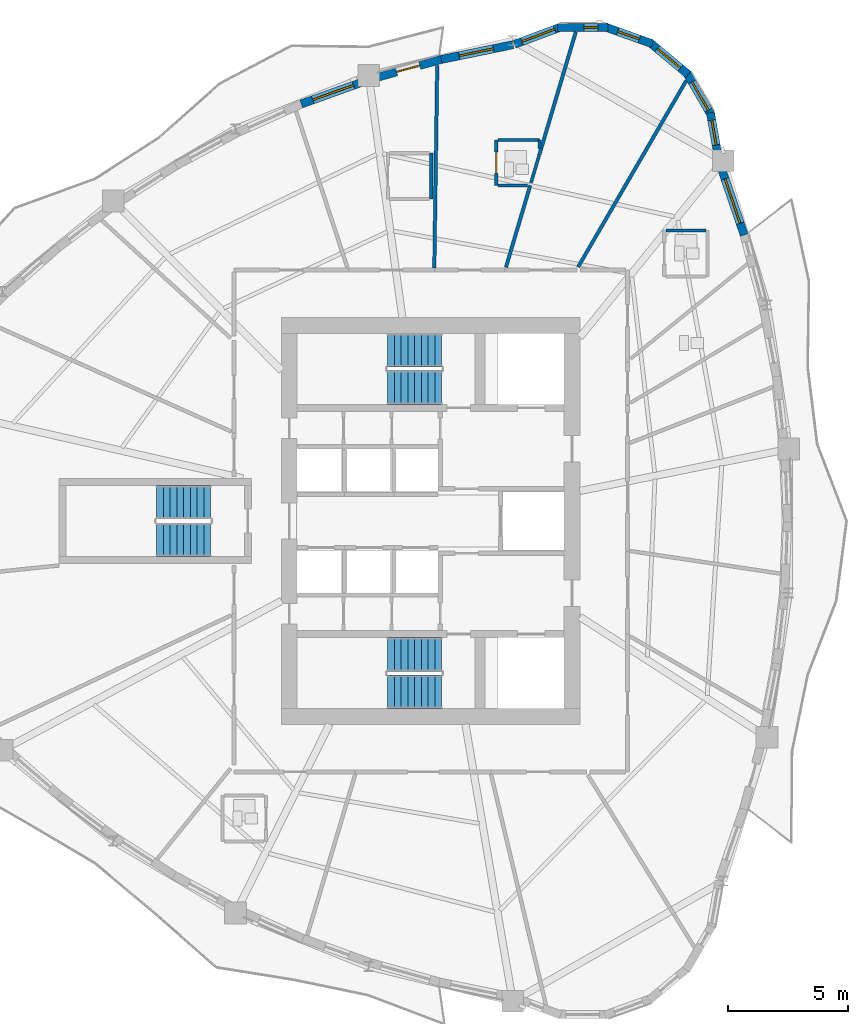
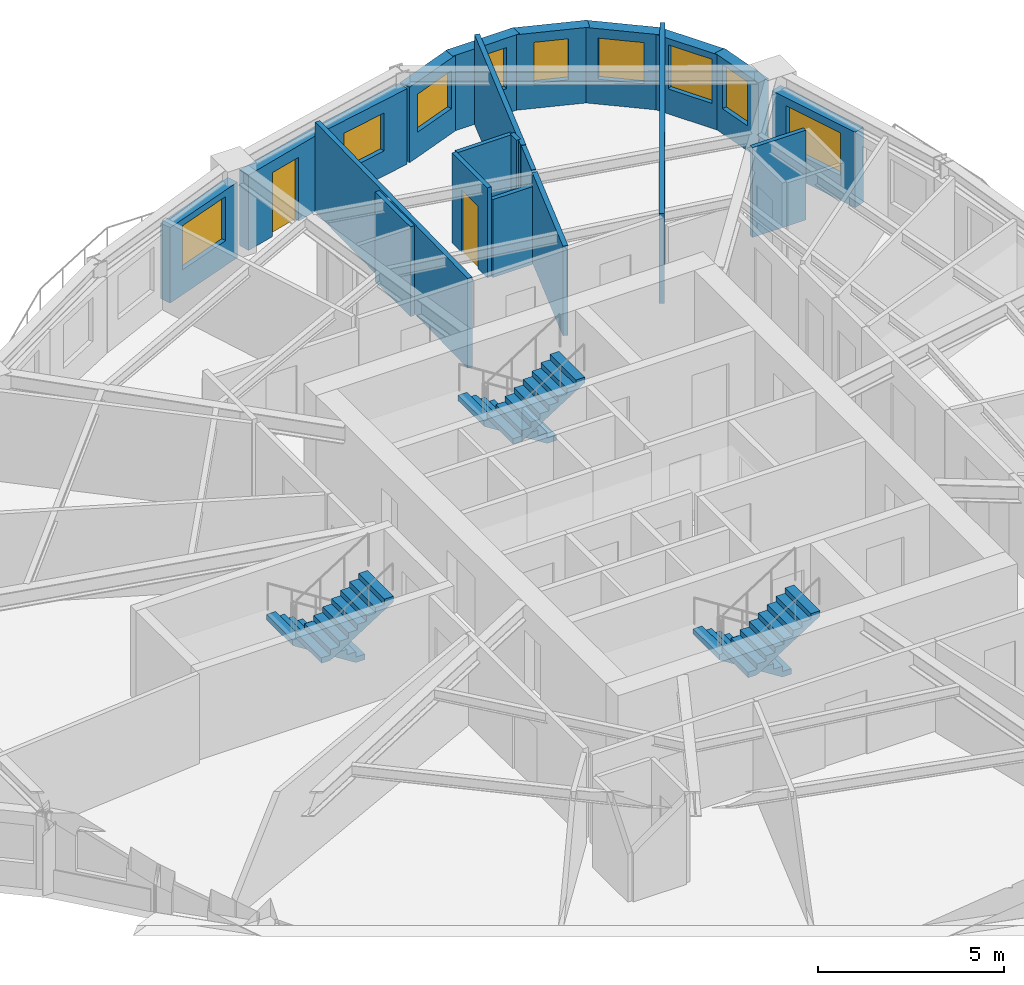
# One storey, part 8 of 12: 21 walls, 9 windows, 6 stair flights, 2 doors, 11 openings, 3 elements without a shape of their own.
"""IFC4 building model written with IfcOpenShell, lengths in metres."""

from ifc_helpers import new_model, si_unit, direction, frame, frame_2d, origin, place, context, subcontext, project, spatial, polyline, rectangle, outline, extrude, source, transform, mapped, material, layer, layer_set, type_object, element, fill, aggregate, save


model = new_model("IFC4")

# Units and contexts
model_context = context("Model", 3, precision=1e-05, world=origin(), true_north=direction((0.0, 1.0)))
body_context = subcontext(model_context, "Body", "Model", "MODEL_VIEW")
ifc_project = project(units=[si_unit("LENGTHUNIT", "METRE"), si_unit("AREAUNIT", "SQUARE_METRE"), si_unit("VOLUMEUNIT", "CUBIC_METRE"), si_unit("PLANEANGLEUNIT", "RADIAN"), si_unit("MASSUNIT", "GRAM", prefix="KILO")], contexts=[model_context])

# Site, building, storey
site_placement = place(None, origin())
site = spatial("IfcSite", under=ifc_project, at=site_placement, CompositionType="ELEMENT")
building_placement = place(site_placement, origin())
building = spatial("IfcBuilding", under=site, at=building_placement, Name="Qafzar Sky-Pleat Residences", CompositionType="ELEMENT")
storey_placement = place(building_placement, frame((0.0, 0.0, 96.0)))
storey = spatial("IfcBuildingStorey", under=building, at=storey_placement, Name="L28", CompositionType="ELEMENT", Elevation=96.0)

# Walls
ifc_material_1 = material(Name="Acoustic gypsum plasterboard partition", Category="gypsum")
ifc_layer_1 = layer(ifc_material_1, 0.14501953125)
ifc_layer_set_1 = layer_set([ifc_layer_1], Name="Acoustic gypsum plasterboard partition")
wall_type_1 = type_object("IfcWallType", Name="PART-UNIT-145", PredefinedType="PARTITIONING", material=ifc_layer_set_1)
wall_1_placement = place(storey_placement, frame((36.474609375, 36.55322265625, 0.0), z_axis=(0.0, 0.0, 1.0), x_axis=(0.501895508122, 0.864928262301, 0.0)))
element("IfcWall", 1, at=wall_1_placement, inside=storey, type_object=wall_type_1, Name="L28 Partition Wall PART-L28-PW-025", PredefinedType="PARTITIONING", context=body_context, shape_type="SweptSolid", body=[
    extrude(rectangle(XDim=8.957763671875, YDim=0.14501953125, at=frame_2d((4.47900390625, 0.0))), origin(), (0.0, 0.0, 1.0), 2.949951171875),
])
wall_2_placement = place(storey_placement, frame((30.500244140625, 36.51904296875, 0.0), z_axis=(0.0, 0.0, 1.0), x_axis=(0.014275968132, 0.999898093174, 0.0)))
element("IfcWall", 2, at=wall_2_placement, inside=storey, type_object=wall_type_1, Name="L28 Partition Wall PART-L28-PW-027", PredefinedType="PARTITIONING", context=body_context, shape_type="SweptSolid", body=[
    extrude(rectangle(XDim=8.4140625, YDim=0.14501953125, at=frame_2d((4.20703125, 0.0))), origin(), (0.0, 0.0, 1.0), 2.949951171875),
])
wall_3_placement = place(storey_placement, frame((34.85888671875, 41.200927734375, 0.0), z_axis=(0.0, 0.0, 1.0), x_axis=(0.284335435967, 0.958724861393, 0.0)))
element("IfcWall", 3, at=wall_3_placement, inside=storey, type_object=wall_type_1, Name="L28 Partition Wall PART-L28-PW-037", PredefinedType="PARTITIONING", context=body_context, shape_type="SweptSolid", body=[
    extrude(rectangle(XDim=5.348388671875, YDim=0.14501953125, at=frame_2d((2.67431640625, 0.0))), origin(), (0.0, 0.0, 1.0), 2.949951171875),
])
wall_4_placement = place(storey_placement, frame((33.47607421875, 36.538330078125, 0.0), z_axis=(0.0, 0.0, 1.0), x_axis=(0.284300835747, 0.958735122332, 0.0)))
element("IfcWall", 4, at=wall_4_placement, inside=storey, type_object=wall_type_1, Name="L28 Partition Wall PART-L28-PW-039", PredefinedType="PARTITIONING", context=body_context, shape_type="SweptSolid", body=[
    extrude(rectangle(XDim=3.5595703125, YDim=0.14501953125, at=frame_2d((1.77978515625, 0.0))), origin(), (0.0, 0.0, 1.0), 2.949951171875),
])

# Wall, opening, door
ifc_material_2 = material(Name="Moisture-resistant gypsum partition", Category="gypsum")
ifc_layer_2 = layer(ifc_material_2, 0.1298828125)
ifc_layer_set_2 = layer_set([ifc_layer_2], Name="Moisture-resistant gypsum partition")
wall_type_2 = type_object("IfcWallType", Name="PART-WET-130", PredefinedType="PARTITIONING", material=ifc_layer_set_2)
wall_5_placement = place(storey_placement, frame((33.073974609375, 41.8359375, 0.0), z_axis=(0.0, 0.0, 1.0), x_axis=(0.0, -1.0, 0.0)))
wall_5 = element("IfcWall", 5, at=wall_5_placement, inside=storey, type_object=wall_type_2, Name="L28 Partition Wall PART-L28-PW-017", PredefinedType="PARTITIONING", context=body_context, shape_type="SweptSolid", body=[
    extrude(rectangle(XDim=1.89990234375, YDim=0.1298828125, at=frame_2d((0.949951171875, 0.0))), origin(), (0.0, 0.0, 1.0), 2.949951171875),
])
opening_1_placement = place(wall_5_placement, frame((0.510009765625, 0.0, 0.0)))
opening_1 = element("IfcOpeningElement", 6, at=opening_1_placement, cuts=wall_5, Name="Opening ID-07", PredefinedType="OPENING", context=body_context, shape_type="SweptSolid", body=[
    extrude(rectangle(XDim=0.8798828125, YDim=2.050048828125, at=frame_2d((0.43994140625, 1.02490234375))), frame((0.0, 0.074951171875, 0.0), z_axis=(0.0, -1.0, 0.0), x_axis=(1.0, 0.0, 0.0)), (0.0, 0.0, 1.0), 0.14990234375),
])
ifc_material_3 = material(Name="Timber-faced fire door", Category="wood")
door_type_1 = type_object("IfcDoorType", Name="DR-WET-880", OperationType="NOTDEFINED", PredefinedType="DOOR", material=ifc_material_3)
shared_shape_1 = source(origin(), body_context, "Body", "SweptSolid", [
    extrude(rectangle(XDim=0.8798828125, YDim=2.050048828125, at=frame_2d((0.43994140625, 1.02490234375))), frame((0.0, 0.02490234375, 0.0), z_axis=(0.0, -1.0, 0.0), x_axis=(1.0, 0.0, 0.0)), (0.0, 0.0, 1.0), 0.050048828125),
])
door_1_placement = place(opening_1_placement, origin())
door_1 = element("IfcDoor", 7, at=door_1_placement, inside=storey, type_object=door_type_1, Name="L28 En-suite Bathroom 3 Door", OperationType="SINGLE_SWING_LEFT", OverallHeight=2.050048828125, OverallWidth=0.8798828125, PredefinedType="DOOR", context=body_context, shape_type="MappedRepresentation", body=[
    mapped(shared_shape_1, transform((0.0, 0.0, 0.0), x_axis=(1.0, 0.0, 0.0), y_axis=(0.0, 1.0, 0.0), z_axis=(0.0, 0.0, 1.0), scale=1.0)),
])
fill(opening_1, door_1)

# Walls
wall_6_placement = place(storey_placement, frame((30.3701171875, 39.385986328125, 0.0), z_axis=(0.0, 0.0, 1.0), x_axis=(0.0, 1.0, 0.0)))
element("IfcWall", 8, at=wall_6_placement, inside=storey, type_object=wall_type_2, Name="L28 Partition Wall PART-L28-PW-044", PredefinedType="PARTITIONING", context=body_context, shape_type="SweptSolid", body=[
    extrude(rectangle(XDim=1.89990234375, YDim=0.1298828125, at=frame_2d((0.949951171875, 0.0))), origin(), (0.0, 0.0, 1.0), 2.949951171875),
])
wall_7_placement = place(storey_placement, frame((33.14697265625, 41.8359375, 0.0), z_axis=(0.0, 0.0, 1.0), x_axis=(1.0, 0.0, 0.0)))
element("IfcWall", 9, at=wall_7_placement, inside=storey, type_object=wall_type_2, Name="L28 Partition Wall PART-L28-PW-045", PredefinedType="PARTITIONING", context=body_context, shape_type="SweptSolid", body=[
    extrude(rectangle(XDim=1.72705078125, YDim=0.1298828125, at=frame_2d((0.863525390625, 0.0))), origin(), (0.0, 0.0, 1.0), 2.949951171875),
])
wall_8_placement = place(storey_placement, frame((40.131103515625, 38.06689453125, 0.0), z_axis=(0.0, 0.0, 1.0), x_axis=(1.0, 0.0, 0.0)))
element("IfcWall", 10, at=wall_8_placement, inside=storey, type_object=wall_type_2, Name="L28 Partition Wall PART-L28-PW-050", PredefinedType="PARTITIONING", context=body_context, shape_type="SweptSolid", body=[
    extrude(rectangle(XDim=1.65380859375, YDim=0.1298828125, at=frame_2d((0.826904296875, 0.0))), origin(), (0.0, 0.0, 1.0), 2.949951171875),
])
wall_9_placement = place(storey_placement, frame((33.14697265625, 39.93603515625, 0.0), z_axis=(0.0, 0.0, 1.0), x_axis=(1.0, 0.0, 0.0)))
element("IfcWall", 11, at=wall_9_placement, inside=storey, type_object=wall_type_2, Name="L28 Partition Wall PART-L28-PW-053", PredefinedType="PARTITIONING", context=body_context, shape_type="SweptSolid", body=[
    extrude(rectangle(XDim=1.234130859375, YDim=0.1298828125, at=frame_2d((0.6171875, 0.0))), origin(), (0.0, 0.0, 1.0), 2.55810546875),
])
wall_10_placement = place(storey_placement, frame((34.519287109375, 40.056640625, 0.0), z_axis=(0.0, 0.0, 1.0), x_axis=(0.284363334184, 0.958716586991, 0.0)))
element("IfcWall", 12, at=wall_10_placement, inside=storey, type_object=wall_type_2, Name="L28 Partition Wall PART-L28-PW-054", PredefinedType="PARTITIONING", context=body_context, shape_type="SweptSolid", body=[
    extrude(rectangle(XDim=1.1787109375, YDim=0.1298828125, at=frame_2d((0.58935546875, 0.0))), origin(), (0.0, 0.0, 1.0), 2.949951171875),
])
wall_11_placement = place(storey_placement, frame((34.8740234375, 41.47705078125, 0.0), z_axis=(0.0, 0.0, 1.0), x_axis=(0.0, 1.0, 0.0)))
element("IfcWall", 13, at=wall_11_placement, inside=storey, type_object=wall_type_2, Name="L28 Partition Wall PART-L28-PW-055", PredefinedType="PARTITIONING", context=body_context, shape_type="SweptSolid", body=[
    extrude(rectangle(XDim=0.35888671875, YDim=0.1298828125, at=frame_2d((0.179443359375, 0.0))), origin(), (0.0, 0.0, 1.0), 2.949951171875),
])

# Wall, opening, window
ifc_material_4 = material(Name="Precast concrete C40/50 with honed Riyadh limestone", Category="concrete")
ifc_layer_3 = layer(ifc_material_4, 0.340087890625)
ifc_layer_set_3 = layer_set([ifc_layer_3], Name="Precast concrete C40/50 with honed Riyadh limestone")
wall_type_3 = type_object("IfcWallType", Name="WALL-EXT-340", PredefinedType="SOLIDWALL", material=ifc_layer_set_3)
wall_12_placement = place(storey_placement, frame((43.38037109375, 37.885986328125, 0.0), z_axis=(0.0, 0.0, 1.0), x_axis=(-0.323536742898, 0.946215607562, 0.0)))
wall_12 = element("IfcWall", 14, at=wall_12_placement, inside=storey, type_object=wall_type_3, Name="L28 Limestone Facade Wall 32", PredefinedType="SOLIDWALL", context=body_context, shape_type="SweptSolid", body=[
    extrude(rectangle(XDim=2.972412109375, YDim=0.340087890625, at=frame_2d((1.486328125, 0.0))), origin(), (0.0, 0.0, 1.0), 2.47998046875),
])
opening_2_placement = place(wall_12_placement, frame((0.51611328125, 0.0, 0.820068359375)))
opening_2 = element("IfcOpeningElement", 15, at=opening_2_placement, cuts=wall_12, Name="Opening WN-08", PredefinedType="OPENING", context=body_context, shape_type="SweptSolid", body=[
    extrude(rectangle(XDim=1.949951171875, YDim=1.39990234375, at=frame_2d((0.97509765625, 0.699951171875))), frame((0.0, 0.18017578125, 0.0), z_axis=(0.0, -1.0, 0.0), x_axis=(1.0, 0.0, 0.0)), (0.0, 0.0, 1.0), 0.360107421875),
])
ifc_material_5 = material(Name="Solar-control low-E glass in bronze aluminium frame", Category="glass")
window_type_1 = type_object("IfcWindowType", Name="WIN-08", PartitioningType="DOUBLE_PANEL_VERTICAL", PredefinedType="WINDOW", material=ifc_material_5)
shared_shape_2 = source(origin(), body_context, "Body", "SweptSolid", [
    extrude(rectangle(XDim=1.949951171875, YDim=1.39990234375, at=frame_2d((0.97509765625, 0.699951171875))), frame((0.0, 0.030029296875, 0.0), z_axis=(0.0, -1.0, 0.0), x_axis=(1.0, 0.0, 0.0)), (0.0, 0.0, 1.0), 0.06005859375),
])
window_1_placement = place(opening_2_placement, origin())
window_1 = element("IfcWindow", 16, at=window_1_placement, inside=storey, type_object=window_type_1, Name="L28 Punched Facade Window 32", OverallHeight=1.39990234375, OverallWidth=1.949951171875, PartitioningType="SINGLE_PANEL", PredefinedType="WINDOW", context=body_context, shape_type="MappedRepresentation", body=[
    mapped(shared_shape_2, transform((0.0, 0.0, 0.0), x_axis=(1.0, 0.0, 0.0), y_axis=(0.0, 1.0, 0.0), z_axis=(0.0, 0.0, 1.0), scale=1.0)),
])
fill(opening_2, window_1)

wall_13_placement = place(storey_placement, frame((42.297607421875, 41.16796875, 0.0), z_axis=(0.0, 0.0, 1.0), x_axis=(-0.17440141227, 0.984674640375, 0.0)))
wall_13 = element("IfcWall", 17, at=wall_13_placement, inside=storey, type_object=wall_type_3, Name="L28 Limestone Facade Wall 33", PredefinedType="SOLIDWALL", context=body_context, shape_type="SweptSolid", body=[
    extrude(rectangle(XDim=1.8310546875, YDim=0.340087890625, at=frame_2d((0.91552734375, 0.0))), origin(), (0.0, 0.0, 1.0), 2.47998046875),
])
opening_3_placement = place(wall_13_placement, frame((0.465576171875, 0.0, 0.820068359375)))
opening_3 = element("IfcOpeningElement", 18, at=opening_3_placement, cuts=wall_13, Name="Opening WN-06", PredefinedType="OPENING", context=body_context, shape_type="SweptSolid", body=[
    extrude(rectangle(XDim=1.050048828125, YDim=1.449951171875, at=frame_2d((0.52490234375, 0.72509765625))), frame((0.0, 0.18017578125, 0.0), z_axis=(0.0, -1.0, 0.0), x_axis=(1.0, 0.0, 0.0)), (0.0, 0.0, 1.0), 0.360107421875),
])
window_type_2 = type_object("IfcWindowType", Name="WIN-06", PartitioningType="SINGLE_PANEL", PredefinedType="WINDOW", material=ifc_material_5)
shared_shape_3 = source(origin(), body_context, "Body", "SweptSolid", [
    extrude(rectangle(XDim=1.050048828125, YDim=1.449951171875, at=frame_2d((0.52490234375, 0.72509765625))), frame((0.0, 0.030029296875, 0.0), z_axis=(0.0, -1.0, 0.0), x_axis=(1.0, 0.0, 0.0)), (0.0, 0.0, 1.0), 0.06005859375),
])
window_2_placement = place(opening_3_placement, origin())
window_2 = element("IfcWindow", 19, at=window_2_placement, inside=storey, type_object=window_type_2, Name="L28 Punched Facade Window 33", OverallHeight=1.449951171875, OverallWidth=1.050048828125, PartitioningType="SINGLE_PANEL", PredefinedType="WINDOW", context=body_context, shape_type="MappedRepresentation", body=[
    mapped(shared_shape_3, transform((0.0, 0.0, 0.0), x_axis=(1.0, 0.0, 0.0), y_axis=(0.0, 1.0, 0.0), z_axis=(0.0, 0.0, 1.0), scale=1.0)),
])
fill(opening_3, window_2)

wall_14_placement = place(storey_placement, frame((42.024169921875, 42.844970703125, 0.0), z_axis=(0.0, 0.0, 1.0), x_axis=(-0.501902596059, 0.864924149315, 0.0)))
wall_14 = element("IfcWall", 20, at=wall_14_placement, inside=storey, type_object=wall_type_3, Name="L28 Limestone Facade Wall 34", PredefinedType="SOLIDWALL", context=body_context, shape_type="SweptSolid", body=[
    extrude(rectangle(XDim=2.098876953125, YDim=0.340087890625, at=frame_2d((1.04931640625, 0.0))), origin(), (0.0, 0.0, 1.0), 2.47998046875),
])
opening_4_placement = place(wall_14_placement, frame((0.264892578125, 0.0, 0.820068359375)))
opening_4 = element("IfcOpeningElement", 21, at=opening_4_placement, cuts=wall_14, Name="Opening WN-04", PredefinedType="OPENING", context=body_context, shape_type="SweptSolid", body=[
    extrude(rectangle(XDim=1.35009765625, YDim=1.449951171875, at=frame_2d((0.675048828125, 0.72509765625))), frame((0.0, 0.18017578125, 0.0), z_axis=(0.0, -1.0, 0.0), x_axis=(1.0, 0.0, 0.0)), (0.0, 0.0, 1.0), 0.360107421875),
])
window_type_3 = type_object("IfcWindowType", Name="WIN-04", PartitioningType="SINGLE_PANEL", PredefinedType="WINDOW", material=ifc_material_5)
shared_shape_4 = source(origin(), body_context, "Body", "SweptSolid", [
    extrude(rectangle(XDim=1.35009765625, YDim=1.449951171875, at=frame_2d((0.675048828125, 0.72509765625))), frame((0.0, 0.030029296875, 0.0), z_axis=(0.0, -1.0, 0.0), x_axis=(1.0, 0.0, 0.0)), (0.0, 0.0, 1.0), 0.06005859375),
])
window_3_placement = place(opening_4_placement, origin())
window_3 = element("IfcWindow", 22, at=window_3_placement, inside=storey, type_object=window_type_3, Name="L28 Punched Facade Window 34", OverallHeight=1.449951171875, OverallWidth=1.35009765625, PartitioningType="SINGLE_PANEL", PredefinedType="WINDOW", context=body_context, shape_type="MappedRepresentation", body=[
    mapped(shared_shape_4, transform((0.0, 0.0, 0.0), x_axis=(1.0, 0.0, 0.0), y_axis=(0.0, 1.0, 0.0), z_axis=(0.0, 0.0, 1.0), scale=1.0)),
])
fill(opening_4, window_3)

wall_15_placement = place(storey_placement, frame((41.05712890625, 44.557861328125, 0.0), z_axis=(0.0, 0.0, 1.0), x_axis=(-0.768497696041, 0.639852554249, 0.0)))
wall_15 = element("IfcWall", 23, at=wall_15_placement, inside=storey, type_object=wall_type_3, Name="L28 Limestone Facade Wall 35", PredefinedType="SOLIDWALL", context=body_context, shape_type="SweptSolid", body=[
    extrude(rectangle(XDim=2.098876953125, YDim=0.340087890625, at=frame_2d((1.04931640625, 0.0))), origin(), (0.0, 0.0, 1.0), 2.47998046875),
])
opening_5_placement = place(wall_15_placement, frame((0.424560546875, 0.0, 0.820068359375)))
opening_5 = element("IfcOpeningElement", 24, at=opening_5_placement, cuts=wall_15, Name="Opening WN-11", PredefinedType="OPENING", context=body_context, shape_type="SweptSolid", body=[
    extrude(rectangle(XDim=1.25, YDim=1.35009765625, at=frame_2d((0.625, 0.675048828125))), frame((0.0, 0.18017578125, 0.0), z_axis=(0.0, -1.0, 0.0), x_axis=(1.0, 0.0, 0.0)), (0.0, 0.0, 1.0), 0.360107421875),
])
window_type_4 = type_object("IfcWindowType", Name="WIN-11", PartitioningType="SINGLE_PANEL", PredefinedType="WINDOW", material=ifc_material_5)
shared_shape_5 = source(origin(), body_context, "Body", "SweptSolid", [
    extrude(rectangle(XDim=1.25, YDim=1.35009765625, at=frame_2d((0.625, 0.675048828125))), frame((0.0, 0.030029296875, 0.0), z_axis=(0.0, -1.0, 0.0), x_axis=(1.0, 0.0, 0.0)), (0.0, 0.0, 1.0), 0.06005859375),
])
window_4_placement = place(opening_5_placement, origin())
window_4 = element("IfcWindow", 25, at=window_4_placement, inside=storey, type_object=window_type_4, Name="L28 Punched Facade Window 35", OverallHeight=1.35009765625, OverallWidth=1.25, PartitioningType="SINGLE_PANEL", PredefinedType="WINDOW", context=body_context, shape_type="MappedRepresentation", body=[
    mapped(shared_shape_5, transform((0.0, 0.0, 0.0), x_axis=(1.0, 0.0, 0.0), y_axis=(0.0, 1.0, 0.0), z_axis=(0.0, 0.0, 1.0), scale=1.0)),
])
fill(opening_5, window_4)

wall_16_placement = place(storey_placement, frame((39.560546875, 45.834228515625, 0.0), z_axis=(0.0, 0.0, 1.0), x_axis=(-0.941473186867, 0.33708787936, 0.0)))
wall_16 = element("IfcWall", 26, at=wall_16_placement, inside=storey, type_object=wall_type_3, Name="L28 Limestone Facade Wall 36", PredefinedType="SOLIDWALL", context=body_context, shape_type="SweptSolid", body=[
    extrude(rectangle(XDim=2.098876953125, YDim=0.340087890625, at=frame_2d((1.04931640625, 0.0))), origin(), (0.0, 0.0, 1.0), 2.47998046875),
])
opening_6_placement = place(wall_16_placement, frame((0.574462890625, 0.0, 0.820068359375)))
opening_6 = element("IfcOpeningElement", 27, at=opening_6_placement, cuts=wall_16, Name="Opening WN-12", PredefinedType="OPENING", context=body_context, shape_type="SweptSolid", body=[
    extrude(rectangle(XDim=0.949951171875, YDim=1.35009765625, at=frame_2d((0.47509765625, 0.675048828125))), frame((0.0, 0.18017578125, 0.0), z_axis=(0.0, -1.0, 0.0), x_axis=(1.0, 0.0, 0.0)), (0.0, 0.0, 1.0), 0.360107421875),
])
window_type_5 = type_object("IfcWindowType", Name="WIN-12", PartitioningType="SINGLE_PANEL", PredefinedType="WINDOW", material=ifc_material_5)
shared_shape_6 = source(origin(), body_context, "Body", "SweptSolid", [
    extrude(rectangle(XDim=0.949951171875, YDim=1.35009765625, at=frame_2d((0.47509765625, 0.675048828125))), frame((0.0, 0.030029296875, 0.0), z_axis=(0.0, -1.0, 0.0), x_axis=(1.0, 0.0, 0.0)), (0.0, 0.0, 1.0), 0.06005859375),
])
window_5_placement = place(opening_6_placement, origin())
window_5 = element("IfcWindow", 28, at=window_5_placement, inside=storey, type_object=window_type_5, Name="L28 Punched Facade Window 36", OverallHeight=1.35009765625, OverallWidth=0.949951171875, PartitioningType="SINGLE_PANEL", PredefinedType="WINDOW", context=body_context, shape_type="MappedRepresentation", body=[
    mapped(shared_shape_6, transform((0.0, 0.0, 0.0), x_axis=(1.0, 0.0, 0.0), y_axis=(0.0, 1.0, 0.0), z_axis=(0.0, 0.0, 1.0), scale=1.0)),
])
fill(opening_6, window_5)

wall_17_placement = place(storey_placement, frame((37.716796875, 46.519287109375, 0.0), z_axis=(0.0, 0.0, 1.0), x_axis=(-0.999976451414, -0.006862697526, 0.0)))
wall_17 = element("IfcWall", 29, at=wall_17_placement, inside=storey, type_object=wall_type_3, Name="L28 Limestone Facade Wall 37", PredefinedType="SOLIDWALL", context=body_context, shape_type="SweptSolid", body=[
    extrude(rectangle(XDim=2.098876953125, YDim=0.340087890625, at=frame_2d((1.04931640625, 0.0))), origin(), (0.0, 0.0, 1.0), 2.47998046875),
])
opening_7_placement = place(wall_17_placement, frame((0.415771484375, 0.0, 0.820068359375)))
opening_7 = element("IfcOpeningElement", 30, at=opening_7_placement, cuts=wall_17, Name="Opening WN-17", PredefinedType="OPENING", context=body_context, shape_type="SweptSolid", body=[
    extrude(rectangle(XDim=0.580078125, YDim=1.35009765625, at=frame_2d((0.2900390625, 0.675048828125))), frame((0.0, 0.18017578125, 0.0), z_axis=(0.0, -1.0, 0.0), x_axis=(1.0, 0.0, 0.0)), (0.0, 0.0, 1.0), 0.360107421875),
])
window_type_6 = type_object("IfcWindowType", Name="WIN-17", PartitioningType="SINGLE_PANEL", PredefinedType="WINDOW", material=ifc_material_5)
shared_shape_7 = source(origin(), body_context, "Body", "SweptSolid", [
    extrude(rectangle(XDim=0.580078125, YDim=1.35009765625, at=frame_2d((0.2900390625, 0.675048828125))), frame((0.0, 0.030029296875, 0.0), z_axis=(0.0, -1.0, 0.0), x_axis=(1.0, 0.0, 0.0)), (0.0, 0.0, 1.0), 0.06005859375),
])
window_6_placement = place(opening_7_placement, origin())
window_6 = element("IfcWindow", 31, at=window_6_placement, inside=storey, type_object=window_type_6, Name="L28 Punched Facade Window 37", OverallHeight=1.35009765625, OverallWidth=0.580078125, PartitioningType="SINGLE_PANEL", PredefinedType="WINDOW", context=body_context, shape_type="MappedRepresentation", body=[
    mapped(shared_shape_7, transform((0.0, 0.0, 0.0), x_axis=(1.0, 0.0, 0.0), y_axis=(0.0, 1.0, 0.0), z_axis=(0.0, 0.0, 1.0), scale=1.0)),
])
fill(opening_7, window_6)

wall_18_placement = place(storey_placement, frame((35.749755859375, 46.529296875, 0.0), z_axis=(0.0, 0.0, 1.0), x_axis=(-0.9368002254, -0.349864741994, 0.0)))
wall_18 = element("IfcWall", 32, at=wall_18_placement, inside=storey, type_object=wall_type_3, Name="L28 Limestone Facade Wall 38", PredefinedType="SOLIDWALL", context=body_context, shape_type="SweptSolid", body=[
    extrude(rectangle(XDim=2.041015625, YDim=0.340087890625, at=frame_2d((1.0205078125, 0.0))), origin(), (0.0, 0.0, 1.0), 2.47998046875),
])
opening_8_placement = place(wall_18_placement, frame((0.265380859375, 0.0, 0.820068359375)))
opening_8 = element("IfcOpeningElement", 33, at=opening_8_placement, cuts=wall_18, Name="Opening WN-15", PredefinedType="OPENING", context=body_context, shape_type="SweptSolid", body=[
    extrude(rectangle(XDim=1.449951171875, YDim=1.25, at=frame_2d((0.72509765625, 0.625))), frame((0.0, 0.18017578125, 0.0), z_axis=(0.0, -1.0, 0.0), x_axis=(1.0, 0.0, 0.0)), (0.0, 0.0, 1.0), 0.360107421875),
])
window_type_7 = type_object("IfcWindowType", Name="WIN-15", PartitioningType="SINGLE_PANEL", PredefinedType="WINDOW", material=ifc_material_5)
shared_shape_8 = source(origin(), body_context, "Body", "SweptSolid", [
    extrude(rectangle(XDim=1.449951171875, YDim=1.25, at=frame_2d((0.72509765625, 0.625))), frame((0.0, 0.030029296875, 0.0), z_axis=(0.0, -1.0, 0.0), x_axis=(1.0, 0.0, 0.0)), (0.0, 0.0, 1.0), 0.06005859375),
])
window_7_placement = place(opening_8_placement, origin())
window_7 = element("IfcWindow", 34, at=window_7_placement, inside=storey, type_object=window_type_7, Name="L28 Punched Facade Window 38", OverallHeight=1.25, OverallWidth=1.449951171875, PartitioningType="SINGLE_PANEL", PredefinedType="WINDOW", context=body_context, shape_type="MappedRepresentation", body=[
    mapped(shared_shape_8, transform((0.0, 0.0, 0.0), x_axis=(1.0, 0.0, 0.0), y_axis=(0.0, 1.0, 0.0), z_axis=(0.0, 0.0, 1.0), scale=1.0)),
])
fill(opening_8, window_7)

wall_19_placement = place(storey_placement, frame((33.774169921875, 45.797119140625, 0.0), z_axis=(0.0, 0.0, 1.0), x_axis=(-0.979428519707, -0.201791414051, 0.0)))
wall_19 = element("IfcWall", 35, at=wall_19_placement, inside=storey, type_object=wall_type_3, Name="L28 Limestone Facade Wall 39", PredefinedType="SOLIDWALL", context=body_context, shape_type="SweptSolid", body=[
    extrude(rectangle(XDim=3.133544921875, YDim=0.340087890625, at=frame_2d((1.56689453125, 0.0))), origin(), (0.0, 0.0, 1.0), 2.47998046875),
])
opening_9_placement = place(wall_19_placement, frame((0.831787109375, 0.0, 0.820068359375)))
opening_9 = element("IfcOpeningElement", 36, at=opening_9_placement, cuts=wall_19, Name="Opening WN-15", PredefinedType="OPENING", context=body_context, shape_type="SweptSolid", body=[
    extrude(rectangle(XDim=1.449951171875, YDim=1.25, at=frame_2d((0.72509765625, 0.625))), frame((0.0, 0.18017578125, 0.0), z_axis=(0.0, -1.0, 0.0), x_axis=(1.0, 0.0, 0.0)), (0.0, 0.0, 1.0), 0.360107421875),
])
window_8_placement = place(opening_9_placement, origin())
window_8 = element("IfcWindow", 37, at=window_8_placement, inside=storey, type_object=window_type_7, Name="L28 Punched Facade Window 39", OverallHeight=1.25, OverallWidth=1.449951171875, PartitioningType="SINGLE_PANEL", PredefinedType="WINDOW", context=body_context, shape_type="MappedRepresentation", body=[
    mapped(shared_shape_8, transform((0.0, 0.0, 0.0), x_axis=(1.0, 0.0, 0.0), y_axis=(0.0, 1.0, 0.0), z_axis=(0.0, 0.0, 1.0), scale=1.0)),
])
fill(opening_9, window_8)

# Wall, opening, door
wall_20_placement = place(storey_placement, frame((30.790283203125, 45.185302734375, 0.0), z_axis=(0.0, 0.0, 1.0), x_axis=(-0.963052677404, -0.269313090187, 0.0)))
wall_20 = element("IfcWall", 38, at=wall_20_placement, inside=storey, type_object=wall_type_3, Name="L28 Limestone Facade Wall 40", PredefinedType="SOLIDWALL", context=body_context, shape_type="SweptSolid", body=[
    extrude(rectangle(XDim=2.8583984375, YDim=0.340087890625, at=frame_2d((1.42919921875, 0.0))), origin(), (0.0, 0.0, 1.0), 2.47998046875),
])
opening_10_placement = place(wall_20_placement, frame((0.92919921875, 0.0, 0.0)))
opening_10 = element("IfcOpeningElement", 39, at=opening_10_placement, cuts=wall_20, Name="Opening ED-05", PredefinedType="OPENING", context=body_context, shape_type="SweptSolid", body=[
    extrude(rectangle(XDim=1.0, YDim=2.10009765625, at=frame_2d((0.5, 1.050048828125))), frame((0.0, 0.18017578125, 0.0), z_axis=(0.0, -1.0, 0.0), x_axis=(1.0, 0.0, 0.0)), (0.0, 0.0, 1.0), 0.360107421875),
])
ifc_material_6 = material(Name="Glazed bronze aluminium door", Category="aluminium")
door_type_2 = type_object("IfcDoorType", Name="DR-BAL-1000", OperationType="NOTDEFINED", PredefinedType="DOOR", material=ifc_material_6)
shared_shape_9 = source(origin(), body_context, "Body", "SweptSolid", [
    extrude(rectangle(XDim=1.0, YDim=2.10009765625, at=frame_2d((0.5, 1.050048828125))), frame((0.0, 0.02490234375, 0.0), z_axis=(0.0, -1.0, 0.0), x_axis=(1.0, 0.0, 0.0)), (0.0, 0.0, 1.0), 0.050048828125),
])
door_2_placement = place(opening_10_placement, origin())
door_2 = element("IfcDoor", 40, at=door_2_placement, inside=storey, type_object=door_type_2, Name="L28 Glazed Balcony Door 2", OperationType="SINGLE_SWING_LEFT", OverallHeight=2.10009765625, OverallWidth=1.0, PredefinedType="DOOR", context=body_context, shape_type="MappedRepresentation", body=[
    mapped(shared_shape_9, transform((0.0, 0.0, 0.0), x_axis=(1.0, 0.0, 0.0), y_axis=(0.0, 1.0, 0.0), z_axis=(0.0, 0.0, 1.0), scale=1.0)),
])
fill(opening_10, door_2)

# Wall, opening, window
wall_21_placement = place(storey_placement, frame((27.611328125, 44.279541015625, 0.0), z_axis=(0.0, 0.0, 1.0), x_axis=(-0.94110108123, -0.338125353836, 0.0)))
wall_21 = element("IfcWall", 41, at=wall_21_placement, inside=storey, type_object=wall_type_3, Name="L28 Limestone Facade Wall 41", PredefinedType="SOLIDWALL", context=body_context, shape_type="SweptSolid", body=[
    extrude(rectangle(XDim=2.808837890625, YDim=0.340087890625, at=frame_2d((1.404296875, 0.0))), origin(), (0.0, 0.0, 1.0), 2.47998046875),
])
opening_11_placement = place(wall_21_placement, frame((0.499267578125, 0.0, 0.820068359375)))
opening_11 = element("IfcOpeningElement", 42, at=opening_11_placement, cuts=wall_21, Name="Opening WN-01", PredefinedType="OPENING", context=body_context, shape_type="SweptSolid", body=[
    extrude(rectangle(XDim=1.800048828125, YDim=1.449951171875, at=frame_2d((0.89990234375, 0.72509765625))), frame((0.0, 0.18017578125, 0.0), z_axis=(0.0, -1.0, 0.0), x_axis=(1.0, 0.0, 0.0)), (0.0, 0.0, 1.0), 0.360107421875),
])
window_type_8 = type_object("IfcWindowType", Name="WIN-01", PartitioningType="DOUBLE_PANEL_VERTICAL", PredefinedType="WINDOW", material=ifc_material_5)
shared_shape_10 = source(origin(), body_context, "Body", "SweptSolid", [
    extrude(rectangle(XDim=1.800048828125, YDim=1.449951171875, at=frame_2d((0.89990234375, 0.72509765625))), frame((0.0, 0.030029296875, 0.0), z_axis=(0.0, -1.0, 0.0), x_axis=(1.0, 0.0, 0.0)), (0.0, 0.0, 1.0), 0.06005859375),
])
window_9_placement = place(opening_11_placement, origin())
window_9 = element("IfcWindow", 43, at=window_9_placement, inside=storey, type_object=window_type_8, Name="L28 Punched Facade Window 41", OverallHeight=1.449951171875, OverallWidth=1.800048828125, PartitioningType="SINGLE_PANEL", PredefinedType="WINDOW", context=body_context, shape_type="MappedRepresentation", body=[
    mapped(shared_shape_10, transform((0.0, 0.0, 0.0), x_axis=(1.0, 0.0, 0.0), y_axis=(0.0, 1.0, 0.0), z_axis=(0.0, 0.0, 1.0), scale=1.0)),
])
fill(opening_11, window_9)

# Stair, stair flights
ifc_material_7 = material(Name="Concrete C40/50", Category="concrete")
stair_type = type_object("IfcStairType", Name="STAIR-H320", PredefinedType="HALF_TURN_STAIR", material=ifc_material_7)
stair_1_placement = place(storey_placement, origin())
stair_1 = element("IfcStair", 44, at=stair_1_placement, inside=storey, type_object=stair_type, Name="L28 Protected Exit Stair ST1", PredefinedType="HALF_TURN_STAIR")
stair_flight_type = type_object("IfcStairFlightType", Name="FLIGHT-H320", PredefinedType="STRAIGHT", material=ifc_material_7)
shared_shape_11 = source(origin(), body_context, "Body", "SweptSolid", [
    extrude(outline(polyline([(0.0, 0.0), (0.0, 0.177734375), (0.280029296875, 0.177734375), (0.280029296875, 0.35546875), (0.56005859375, 0.35546875), (0.56005859375, 0.533447265625), (0.840087890625, 0.533447265625), (0.840087890625, 0.711181640625), (1.1201171875, 0.711181640625), (1.1201171875, 0.888916015625), (1.39990234375, 0.888916015625), (1.39990234375, 1.066650390625), (1.679931640625, 1.066650390625), (1.679931640625, 1.244384765625), (1.9599609375, 1.244384765625), (1.9599609375, 1.422119140625), (2.239990234375, 1.422119140625), (2.239990234375, 1.60009765625), (2.239990234375, 1.24462890625), (0.27978515625, 0.0), (0.0, 0.0)])), frame((0.0, 0.699951171875, 0.0), z_axis=(0.0, -1.0, 0.0), x_axis=(1.0, 0.0, 0.0)), (0.0, 0.0, 1.0), 1.39990234375),
])
stair_flight_1_placement = place(storey_placement, frame((30.800048828125, 20.449951171875, 0.0), z_axis=(0.0, 0.0, 1.0), x_axis=(-1.0, 0.0, 0.0)))
stair_flight_1 = element("IfcStairFlight", 45, at=stair_flight_1_placement, type_object=stair_flight_type, Name="ST1 flight 1", NumberOfRisers=9, NumberOfTreads=8, PredefinedType="STRAIGHT", RiserHeight=0.177777778, TreadLength=0.28, context=body_context, shape_type="MappedRepresentation", body=[
    mapped(shared_shape_11, transform((0.0, 0.0, 0.0), x_axis=(1.0, 0.0, 0.0), y_axis=(0.0, 1.0, 0.0), z_axis=(0.0, 0.0, 1.0), scale=1.0)),
])
stair_flight_2_placement = place(storey_placement, frame((28.56005859375, 18.89990234375, 1.60009765625), z_axis=(0.0, 0.0, 1.0), x_axis=(1.0, 0.0, 0.0)))
stair_flight_2 = element("IfcStairFlight", 46, at=stair_flight_2_placement, type_object=stair_flight_type, Name="ST1 flight 2", NumberOfRisers=9, NumberOfTreads=8, PredefinedType="STRAIGHT", RiserHeight=0.177777778, TreadLength=0.28, context=body_context, shape_type="MappedRepresentation", body=[
    mapped(shared_shape_11, transform((0.0, 0.0, 0.0), x_axis=(1.0, 0.0, 0.0), y_axis=(0.0, 1.0, 0.0), z_axis=(0.0, 0.0, 1.0), scale=1.0)),
])
aggregate(stair_1, [stair_flight_1, stair_flight_2])

stair_2_placement = place(storey_placement, origin())
stair_2 = element("IfcStair", 47, at=stair_2_placement, inside=storey, type_object=stair_type, Name="L28 Protected Exit Stair ST2", PredefinedType="HALF_TURN_STAIR")
stair_flight_3_placement = place(storey_placement, frame((30.800048828125, 33.10009765625, 0.0), z_axis=(0.0, 0.0, 1.0), x_axis=(-1.0, 0.0, 0.0)))
stair_flight_3 = element("IfcStairFlight", 48, at=stair_flight_3_placement, type_object=stair_flight_type, Name="ST2 flight 1", NumberOfRisers=9, NumberOfTreads=8, PredefinedType="STRAIGHT", RiserHeight=0.177777778, TreadLength=0.28, context=body_context, shape_type="MappedRepresentation", body=[
    mapped(shared_shape_11, transform((0.0, 0.0, 0.0), x_axis=(1.0, 0.0, 0.0), y_axis=(0.0, 1.0, 0.0), z_axis=(0.0, 0.0, 1.0), scale=1.0)),
])
stair_flight_4_placement = place(storey_placement, frame((28.56005859375, 31.550048828125, 1.60009765625), z_axis=(0.0, 0.0, 1.0), x_axis=(1.0, 0.0, 0.0)))
stair_flight_4 = element("IfcStairFlight", 49, at=stair_flight_4_placement, type_object=stair_flight_type, Name="ST2 flight 2", NumberOfRisers=9, NumberOfTreads=8, PredefinedType="STRAIGHT", RiserHeight=0.177777778, TreadLength=0.28, context=body_context, shape_type="MappedRepresentation", body=[
    mapped(shared_shape_11, transform((0.0, 0.0, 0.0), x_axis=(1.0, 0.0, 0.0), y_axis=(0.0, 1.0, 0.0), z_axis=(0.0, 0.0, 1.0), scale=1.0)),
])
aggregate(stair_2, [stair_flight_3, stair_flight_4])

stair_3_placement = place(storey_placement, origin())
stair_3 = element("IfcStair", 50, at=stair_3_placement, inside=storey, type_object=stair_type, Name="L28 Protected Exit Stair ST3", PredefinedType="HALF_TURN_STAIR")
stair_flight_5_placement = place(storey_placement, frame((21.199951171875, 26.77490234375, 0.0), z_axis=(0.0, 0.0, 1.0), x_axis=(-1.0, 0.0, 0.0)))
stair_flight_5 = element("IfcStairFlight", 51, at=stair_flight_5_placement, type_object=stair_flight_type, Name="ST3 flight 1", NumberOfRisers=9, NumberOfTreads=8, PredefinedType="STRAIGHT", RiserHeight=0.177777778, TreadLength=0.28, context=body_context, shape_type="MappedRepresentation", body=[
    mapped(shared_shape_11, transform((0.0, 0.0, 0.0), x_axis=(1.0, 0.0, 0.0), y_axis=(0.0, 1.0, 0.0), z_axis=(0.0, 0.0, 1.0), scale=1.0)),
])
stair_flight_6_placement = place(storey_placement, frame((18.9599609375, 25.22509765625, 1.60009765625), z_axis=(0.0, 0.0, 1.0), x_axis=(1.0, 0.0, 0.0)))
stair_flight_6 = element("IfcStairFlight", 52, at=stair_flight_6_placement, type_object=stair_flight_type, Name="ST3 flight 2", NumberOfRisers=9, NumberOfTreads=8, PredefinedType="STRAIGHT", RiserHeight=0.177777778, TreadLength=0.28, context=body_context, shape_type="MappedRepresentation", body=[
    mapped(shared_shape_11, transform((0.0, 0.0, 0.0), x_axis=(1.0, 0.0, 0.0), y_axis=(0.0, 1.0, 0.0), z_axis=(0.0, 0.0, 1.0), scale=1.0)),
])
aggregate(stair_3, [stair_flight_5, stair_flight_6])

save(model, "model.ifc")
